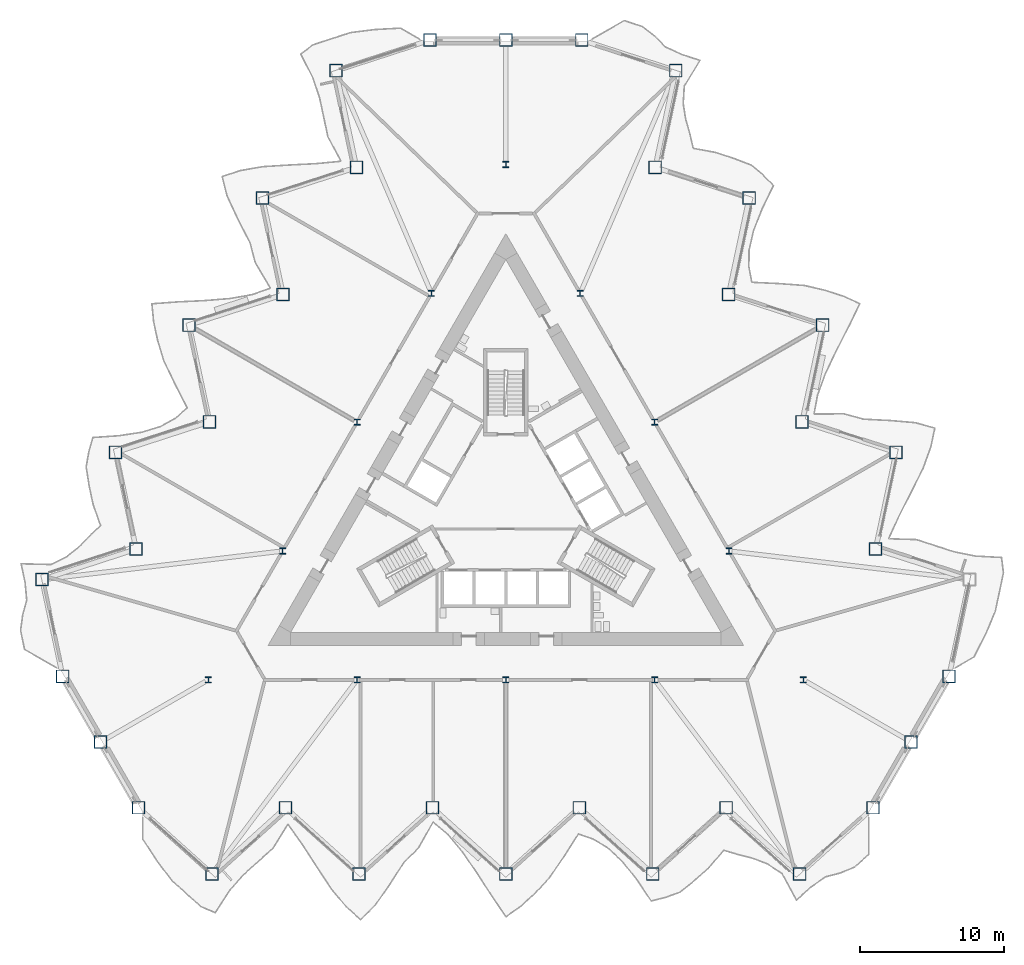
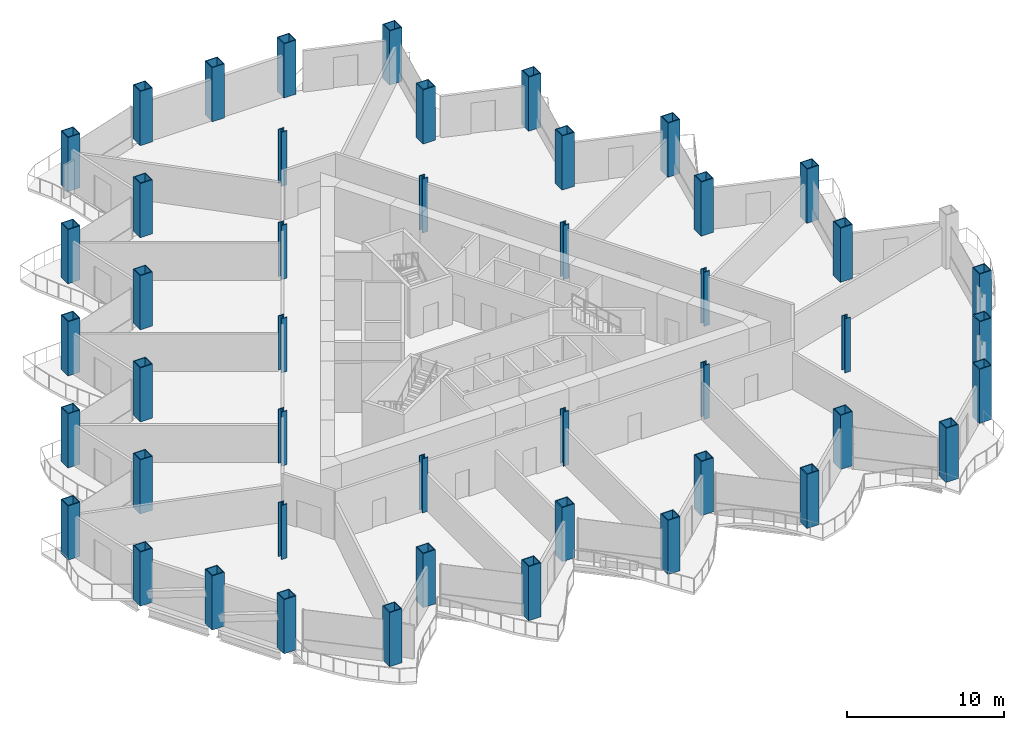
# One storey, part 1 of 21: 47 columns.
"""IFC4 building model written with IfcOpenShell, lengths in metres."""

from ifc_helpers import new_model, si_unit, direction, frame, origin, origin_2d, place, context, subcontext, project, spatial, hollow_rectangle, i_section, extrude, material, material_profile, profile_set, type_object, element, save


model = new_model("IFC4")

# Units and contexts
model_context = context("Model", 3, precision=1e-05, world=origin(), true_north=direction((0.0, 1.0)))
body_context = subcontext(model_context, "Body", "Model", "MODEL_VIEW")
ifc_project = project(units=[si_unit("LENGTHUNIT", "METRE"), si_unit("AREAUNIT", "SQUARE_METRE"), si_unit("VOLUMEUNIT", "CUBIC_METRE"), si_unit("PLANEANGLEUNIT", "RADIAN"), si_unit("MASSUNIT", "GRAM", prefix="KILO")], contexts=[model_context])

# Site, building, storey
site_placement = place(None, origin())
site = spatial("IfcSite", under=ifc_project, at=site_placement, CompositionType="ELEMENT")
building_placement = place(site_placement, origin())
building = spatial("IfcBuilding", under=site, at=building_placement, Name="Cormorant Prow Tower", CompositionType="ELEMENT")
storey_placement = place(building_placement, frame((0.0, 0.0, 124.800048828125)))
storey = spatial("IfcBuildingStorey", under=building, at=storey_placement, Name="L26", CompositionType="ELEMENT", Elevation=124.800048828125)

# Columns
ifc_material_1 = material(Name="Structural steel ASTM A572 Gr 50", Category="steel")
ifc_material_profile_1 = material_profile(ifc_material_1, hollow_rectangle(XDim=0.89990234375, YDim=0.89990234375, WallThickness=0.06005859375, at=origin_2d()), Name="Box 900x900x60")
ifc_profile_set_1 = profile_set([ifc_material_profile_1], Name="Structural steel ASTM A572 Gr 50")
column_type_1 = type_object("IfcColumnType", Name="Perimeter box column 900x900x60", PredefinedType="COLUMN", material=ifc_profile_set_1)
for number, where, z_axis, x_axis, name in (
    (1, (-25.499755859375, -20.80712890625, 0.0), (0.0, 0.0, 1.0), (1.0, 0.0, 0.0), "Perimeter column C3 at S00 L26"),
    (2, (-20.399658203125, -25.399169921875, 0.0), (0.0, 0.0, 1.0), (1.0, 0.0, 0.0), "Perimeter column C3 at S01 L26"),
    (3, (-15.2998046875, -20.80712890625, 0.0), (0.0, 0.0, 1.0), (1.0, 0.0, 0.0), "Perimeter column C3 at S02 L26"),
    (4, (-10.199951171875, -25.399169921875, 0.0), (0.0, 0.0, 1.0), (1.0, 0.0, 0.0), "Perimeter column C3 at S03 L26"),
    (5, (-5.099853515625, -20.80712890625, 0.0), (0.0, 0.0, 1.0), (1.0, 0.0, 0.0), "Perimeter column C3 at S04 L26"),
    (6, (0.0, -25.399169921875, 0.0), (0.0, 0.0, 1.0), (1.0, 0.0, 0.0), "Perimeter column C3 at S05 L26"),
    (7, (5.099853515625, -20.80712890625, 0.0), (0.0, 0.0, 1.0), (1.0, 0.0, 0.0), "Perimeter column C3 at S06 L26"),
    (8, (10.199951171875, -25.399169921875, 0.0), (0.0, 0.0, 1.0), (1.0, 0.0, 0.0), "Perimeter column C3 at S07 L26"),
    (9, (15.2998046875, -20.80712890625, 0.0), (0.0, 0.0, 1.0), (1.0, 0.0, 0.0), "Perimeter column C3 at S08 L26"),
    (10, (20.399658203125, -25.399169921875, 0.0), (0.0, 0.0, 1.0), (1.0, 0.0, 0.0), "Perimeter column C3 at S09 L26"),
    (11, (25.499755859375, -20.80712890625, 0.0), (0.0, 0.0, 1.0), (1.0, 0.0, 0.0), "Perimeter column C3 at ESE00 L26"),
    (12, (28.134521484375, -16.243408203125, 0.0), (0.0, 0.0, 1.0), (1.0, 0.0, 0.0), "Perimeter column C3 at ESE01 L26"),
    (13, (30.769287109375, -11.679931640625, 0.0), (0.0, 0.0, 1.0), (1.0, 0.0, 0.0), "Perimeter column C3 at ENE00 L26"),
    (14, (25.66943359375, -2.846435546875, 0.0), (0.0, 0.0, 1.0), (1.0, 0.0, 0.0), "Perimeter column C3 at ENE02 L26"),
    (15, (27.09619140625, 3.8662109375, 0.0), (0.0, 0.0, 1.0), (1.0, 0.0, 0.0), "Perimeter column C3 at ENE03 L26"),
    (16, (20.569580078125, 5.98681640625, 0.0), (0.0, 0.0, 1.0), (1.0, 0.0, 0.0), "Perimeter column C3 at ENE04 L26"),
    (17, (21.996337890625, 12.699462890625, 0.0), (0.0, 0.0, 1.0), (1.0, 0.0, 0.0), "Perimeter column C3 at ENE05 L26"),
    (18, (15.469482421875, 14.8203125, 0.0), (0.0, 0.0, 1.0), (1.0, 0.0, 0.0), "Perimeter column C3 at ENE06 L26"),
    (19, (16.896240234375, 21.532958984375, 0.0), (0.0, 0.0, 1.0), (1.0, 0.0, 0.0), "Perimeter column C3 at ENE07 L26"),
    (20, (10.36962890625, 23.653564453125, 0.0), (0.0, 0.0, 1.0), (1.0, 0.0, 0.0), "Perimeter column C3 at ENE08 L26"),
    (21, (11.79638671875, 30.3662109375, 0.0), (0.0, 0.0, 1.0), (1.0, 0.0, 0.0), "Perimeter column C3 at ENE09 L26"),
    (22, (5.269775390625, 32.487060546875, 0.0), (0.0, 0.0, 1.0), (1.0, 0.0, 0.0), "Perimeter column C3 at N00 L26"),
    (23, (0.0, 32.487060546875, 0.0), (0.0, 0.0, 1.0), (1.0, 0.0, 0.0), "Perimeter column C3 at N01 L26"),
    (24, (-5.269775390625, 32.487060546875, 0.0), (0.0, 0.0, 1.0), (1.0, 0.0, 0.0), "Perimeter column C3 at WNW00 L26"),
    (25, (-11.79638671875, 30.3662109375, 0.0), (0.0, 0.0, 1.0), (1.0, 0.0, 0.0), "Perimeter column C3 at WNW01 L26"),
    (26, (-10.36962890625, 23.653564453125, 0.0), (0.0, 0.0, 1.0), (1.0, 0.0, 0.0), "Perimeter column C3 at WNW02 L26"),
    (27, (-16.896240234375, 21.532958984375, 0.0), (0.0, 0.0, 1.0), (1.0, 0.0, 0.0), "Perimeter column C3 at WNW03 L26"),
    (28, (-15.469482421875, 14.8203125, 0.0), (0.0, 0.0, 1.0), (1.0, 0.0, 0.0), "Perimeter column C3 at WNW04 L26"),
    (29, (-21.996337890625, 12.699462890625, 0.0), (0.0, 0.0, 1.0), (1.0, 0.0, 0.0), "Perimeter column C3 at WNW05 L26"),
    (30, (-20.569580078125, 5.98681640625, 0.0), (0.0, 0.0, 1.0), (1.0, 0.0, 0.0), "Perimeter column C3 at WNW06 L26"),
    (31, (-27.09619140625, 3.8662109375, 0.0), (0.0, 0.0, 1.0), (1.0, 0.0, 0.0), "Perimeter column C3 at WNW07 L26"),
    (32, (-25.66943359375, -2.846435546875, 0.0), (0.0, 0.0, 1.0), (1.0, 0.0, 0.0), "Perimeter column C3 at WNW08 L26"),
    (33, (-32.1962890625, -4.967041015625, 0.0), (0.0, 0.0, 1.0), (1.0, 0.0, 0.0), "Perimeter column C3 at WNW09 L26"),
    (34, (-30.769287109375, -11.679931640625, 0.0), (0.0, 0.0, 1.0), (1.0, 0.0, 0.0), "Perimeter column C3 at WSW00 L26"),
    (35, (-28.134521484375, -16.243408203125, 0.0), (0.0, 0.0, 1.0), (1.0, 0.0, 0.0), "Perimeter column C3 at WSW01 L26"),
):
    element("IfcColumn", number, at=place(storey_placement, frame(where, z_axis=z_axis, x_axis=x_axis)), inside=storey, type_object=column_type_1, Name=name, PredefinedType="COLUMN", context=body_context, shape_type="SweptSolid", body=[
        extrude(hollow_rectangle(XDim=0.89990234375, YDim=0.89990234375, WallThickness=0.06005859375, at=origin_2d()), origin(), (0.0, 0.0, 1.0), 4.199951171875),
    ])
ifc_material_2 = material(Name="Structural steel ASTM A992 Gr 50", Category="steel")
ifc_material_profile_2 = material_profile(ifc_material_2, i_section(OverallWidth=0.412109375, OverallDepth=0.434814453125, WebThickness=0.035888671875, FlangeThickness=0.057373046875, at=origin_2d()), Name="W14x311")
ifc_profile_set_2 = profile_set([ifc_material_profile_2], Name="Structural steel ASTM A992 Gr 50")
column_type_2 = type_object("IfcColumnType", Name="Ring column W14x311", PredefinedType="COLUMN", material=ifc_profile_set_2)
for number, where, z_axis, x_axis, name in (
    (36, (0.0, 23.8525390625, 0.0), (0.0, 0.0, 1.0), (1.0, 0.0, 0.0), "Ring column 1 L26"),
    (37, (-5.164306640625, 14.907958984375, 0.0), (0.0, 0.0, 1.0), (1.0, 0.0, 0.0), "Ring column 2 L26"),
    (38, (-10.328369140625, 5.963134765625, 0.0), (0.0, 0.0, 1.0), (1.0, 0.0, 0.0), "Ring column 3 L26"),
    (39, (-15.49267578125, -2.981689453125, 0.0), (0.0, 0.0, 1.0), (1.0, 0.0, 0.0), "Ring column 4 L26"),
    (40, (-20.656982421875, -11.92626953125, 0.0), (0.0, 0.0, 1.0), (1.0, 0.0, 0.0), "Ring column 5 L26"),
    (41, (-10.328369140625, -11.92626953125, 0.0), (0.0, 0.0, 1.0), (1.0, 0.0, 0.0), "Ring column 6 L26"),
    (42, (0.0, -11.92626953125, 0.0), (0.0, 0.0, 1.0), (1.0, 0.0, 0.0), "Ring column 7 L26"),
    (43, (10.328369140625, -11.92626953125, 0.0), (0.0, 0.0, 1.0), (1.0, 0.0, 0.0), "Ring column 8 L26"),
    (44, (20.656982421875, -11.92626953125, 0.0), (0.0, 0.0, 1.0), (1.0, 0.0, 0.0), "Ring column 9 L26"),
    (45, (15.49267578125, -2.981689453125, 0.0), (0.0, 0.0, 1.0), (1.0, 0.0, 0.0), "Ring column 10 L26"),
    (46, (10.328369140625, 5.963134765625, 0.0), (0.0, 0.0, 1.0), (1.0, 0.0, 0.0), "Ring column 11 L26"),
    (47, (5.164306640625, 14.907958984375, 0.0), (0.0, 0.0, 1.0), (1.0, 0.0, 0.0), "Ring column 12 L26"),
):
    element("IfcColumn", number, at=place(storey_placement, frame(where, z_axis=z_axis, x_axis=x_axis)), inside=storey, type_object=column_type_2, Name=name, PredefinedType="COLUMN", context=body_context, shape_type="SweptSolid", body=[
        extrude(i_section(OverallWidth=0.412109375, OverallDepth=0.434814453125, WebThickness=0.035888671875, FlangeThickness=0.057373046875, at=origin_2d()), origin(), (0.0, 0.0, 1.0), 4.199951171875),
    ])

save(model, "model.ifc")
